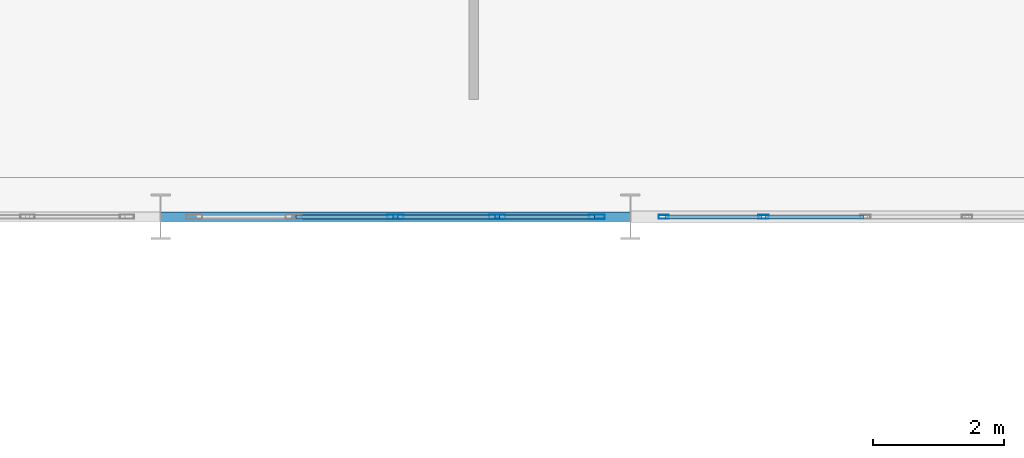
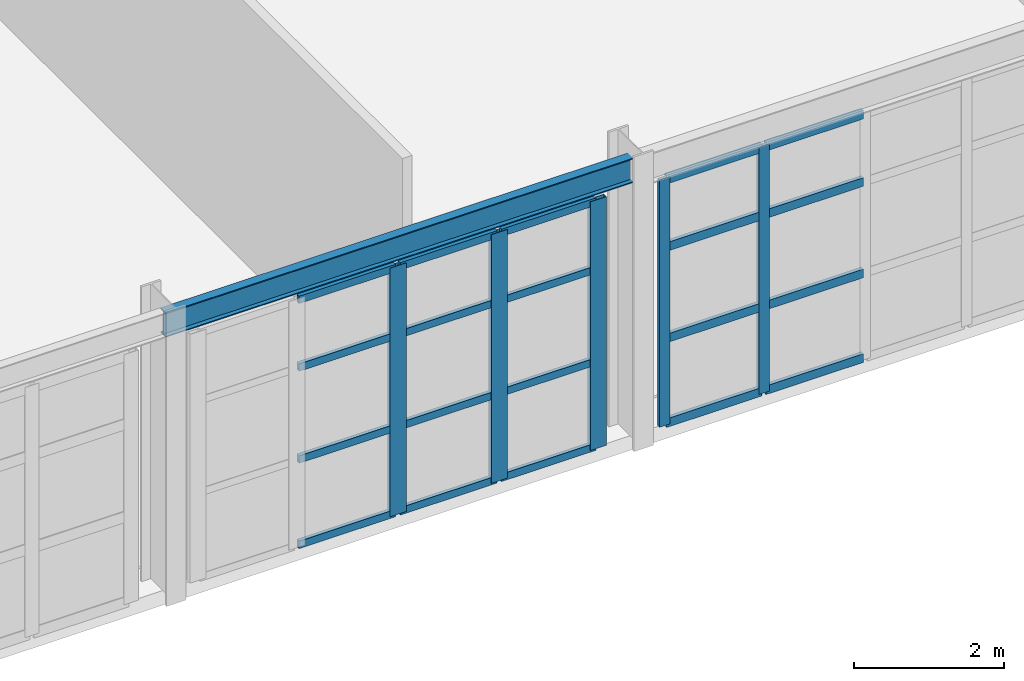
# One storey, part 35 of 126: 25 members, 1 beam, 2 elements without a shape of their own.
"""IFC4 building model written with IfcOpenShell, lengths in metres."""

from ifc_helpers import new_model, si_unit, direction, frame, origin, origin_2d, place, context, subcontext, project, spatial, hollow_rectangle, i_section, extrude, material, layer, layer_set, material_profile, profile_set, type_object, element, aggregate, save


model = new_model("IFC4")

# Units and contexts
model_context = context("Model", 3, precision=1e-05, world=origin(), true_north=direction((0.0, 1.0)))
body_context = subcontext(model_context, "Body", "Model", "MODEL_VIEW")
ifc_project = project(units=[si_unit("LENGTHUNIT", "METRE"), si_unit("AREAUNIT", "SQUARE_METRE"), si_unit("VOLUMEUNIT", "CUBIC_METRE"), si_unit("PLANEANGLEUNIT", "RADIAN"), si_unit("MASSUNIT", "GRAM", prefix="KILO")], contexts=[model_context])

# Site, building, storey
site_placement = place(None, origin())
site = spatial("IfcSite", under=ifc_project, at=site_placement, CompositionType="ELEMENT")
building_placement = place(site_placement, origin())
building = spatial("IfcBuilding", under=site, at=building_placement, Name="Solvadek Multi-Sports Hall", CompositionType="ELEMENT")
storey_placement = place(building_placement, frame((0.0, 0.0, 9.60009765625)))
storey = spatial("IfcBuildingStorey", under=building, at=storey_placement, Name="L02", CompositionType="ELEMENT", Elevation=9.60009765625)

# Curtain wall, members
ifc_material_1 = material(Name="Anodised aluminium", Category="aluminium")
ifc_layer_1 = layer(ifc_material_1, 0.159912109375, Name="Anodised aluminium")
ifc_layer_set_1 = layer_set([ifc_layer_1], Name="Anodised aluminium")
curtain_wall_type_1 = type_object("IfcCurtainWallType", Name="ENV-CW-624X403", PredefinedType="USERDEFINED", material=ifc_layer_set_1)
curtain_wall_1_placement = place(storey_placement, origin())
curtain_wall_1 = element("IfcCurtainWall", 1, at=curtain_wall_1_placement, inside=storey, type_object=curtain_wall_type_1, Name="L02 Perimeter Bay Curtain Wall #167", ObjectType="CURTAIN WALL", PredefinedType="USERDEFINED")
ifc_material_profile_1 = material_profile(ifc_material_1, hollow_rectangle(XDim=0.06005859375, YDim=0.159912109375, WallThickness=0.00390625, at=origin_2d()), Name="ALU-M 160x60x4")
ifc_profile_set_1 = profile_set([ifc_material_profile_1], Name="Anodised aluminium")
member_type_1 = type_object("IfcMemberType", Name="ENV-CWM-01", PredefinedType="MULLION", material=ifc_profile_set_1)
member_1_placement = place(storey_placement, frame((36.510009765625, 49.199951171875, 0.0), z_axis=(0.0, 0.0, 1.0), x_axis=(0.0, 1.0, 0.0)))
member_1 = element("IfcMember", 2, at=member_1_placement, type_object=member_type_1, Name="CW-43 mullion 1", PredefinedType="MULLION", context=body_context, shape_type="SweptSolid", body=[
    extrude(hollow_rectangle(XDim=0.06005859375, YDim=0.159912109375, WallThickness=0.00390625, at=origin_2d()), origin(), (0.0, 0.0, 1.0), 4.02490234375),
])
member_2_placement = place(storey_placement, frame((38.0400390625, 49.199951171875, 0.0), z_axis=(0.0, 0.0, 1.0), x_axis=(0.0, 1.0, 0.0)))
member_2 = element("IfcMember", 3, at=member_2_placement, type_object=member_type_1, Name="CW-43 mullion 2", PredefinedType="MULLION", context=body_context, shape_type="SweptSolid", body=[
    extrude(hollow_rectangle(XDim=0.06005859375, YDim=0.159912109375, WallThickness=0.00390625, at=origin_2d()), origin(), (0.0, 0.0, 1.0), 4.02490234375),
])

ifc_layer_2 = layer(ifc_material_1, 0.159912109375, Name="Anodised aluminium")
ifc_layer_set_2 = layer_set([ifc_layer_2], Name="Anodised aluminium")
curtain_wall_type_2 = type_object("IfcCurtainWallType", Name="ENV-CW-624X405", PredefinedType="USERDEFINED", material=ifc_layer_set_2)
curtain_wall_2_placement = place(storey_placement, origin())
curtain_wall_2 = element("IfcCurtainWall", 4, at=curtain_wall_2_placement, inside=storey, type_object=curtain_wall_type_2, Name="L02 Perimeter Bay Curtain Wall #163", ObjectType="CURTAIN WALL", PredefinedType="USERDEFINED")
ifc_material_profile_2 = material_profile(ifc_material_1, hollow_rectangle(XDim=0.070068359375, YDim=0.25, WallThickness=0.0048828125, at=origin_2d()), Name="ALU-M 250x70x5")
ifc_profile_set_2 = profile_set([ifc_material_profile_2], Name="Anodised aluminium")
member_type_2 = type_object("IfcMemberType", Name="ENV-CWM-05", PredefinedType="MULLION", material=ifc_profile_set_2)
member_3_placement = place(storey_placement, frame((32.39990234375, 49.199951171875, 0.0), z_axis=(0.0, 0.0, 1.0), x_axis=(0.0, 1.0, 0.0)))
member_3 = element("IfcMember", 5, at=member_3_placement, type_object=member_type_2, Name="CW-52 mullion 3", PredefinedType="MULLION", context=body_context, shape_type="SweptSolid", body=[
    extrude(hollow_rectangle(XDim=0.070068359375, YDim=0.25, WallThickness=0.0048828125, at=origin_2d()), origin(), (0.0, 0.0, 1.0), 4.0498046875),
])
member_4_placement = place(storey_placement, frame((33.9599609375, 49.199951171875, 0.0), z_axis=(0.0, 0.0, 1.0), x_axis=(0.0, 1.0, 0.0)))
member_4 = element("IfcMember", 6, at=member_4_placement, type_object=member_type_2, Name="CW-52 mullion 4", PredefinedType="MULLION", context=body_context, shape_type="SweptSolid", body=[
    extrude(hollow_rectangle(XDim=0.070068359375, YDim=0.25, WallThickness=0.0048828125, at=origin_2d()), origin(), (0.0, 0.0, 1.0), 4.0498046875),
])
member_5_placement = place(storey_placement, frame((35.485107421875, 49.199951171875, 0.0), z_axis=(0.0, 0.0, 1.0), x_axis=(0.0, 1.0, 0.0)))
member_5 = element("IfcMember", 7, at=member_5_placement, type_object=member_type_2, Name="CW-52 mullion 5", PredefinedType="MULLION", context=body_context, shape_type="SweptSolid", body=[
    extrude(hollow_rectangle(XDim=0.070068359375, YDim=0.25, WallThickness=0.0048828125, at=origin_2d()), origin(), (0.0, 0.0, 1.0), 4.0498046875),
])
ifc_material_profile_3 = material_profile(ifc_material_1, hollow_rectangle(XDim=0.06005859375, YDim=0.1201171875, WallThickness=0.00390625, at=origin_2d()), Name="ALU-T 120x60x4")
ifc_profile_set_3 = profile_set([ifc_material_profile_3], Name="Anodised aluminium")
member_type_3 = type_object("IfcMemberType", Name="ENV-CWT-01", PredefinedType="USERDEFINED", material=ifc_profile_set_3)
member_6_placement = place(storey_placement, frame((30.875, 49.199951171875, 0.02978515625), z_axis=(1.0, 0.0, 0.0), x_axis=(0.0, 1.0, 0.0)))
member_6 = element("IfcMember", 8, at=member_6_placement, type_object=member_type_3, Name="CW-52 transom 2.1", ObjectType="TRANSOM", PredefinedType="USERDEFINED", context=body_context, shape_type="SweptSolid", body=[
    extrude(hollow_rectangle(XDim=0.06005859375, YDim=0.1201171875, WallThickness=0.00390625, at=origin_2d()), origin(), (0.0, 0.0, 1.0), 1.489990234375),
])
member_7_placement = place(storey_placement, frame((30.875, 49.199951171875, 1.41796875), z_axis=(1.0, 0.0, 0.0), x_axis=(0.0, 1.0, 0.0)))
member_7 = element("IfcMember", 9, at=member_7_placement, type_object=member_type_3, Name="CW-52 transom 2.2", ObjectType="TRANSOM", PredefinedType="USERDEFINED", context=body_context, shape_type="SweptSolid", body=[
    extrude(hollow_rectangle(XDim=0.06005859375, YDim=0.1201171875, WallThickness=0.00390625, at=origin_2d()), origin(), (0.0, 0.0, 1.0), 1.489990234375),
])
member_8_placement = place(storey_placement, frame((30.875, 49.199951171875, 2.916015625), z_axis=(1.0, 0.0, 0.0), x_axis=(0.0, 1.0, 0.0)))
member_8 = element("IfcMember", 10, at=member_8_placement, type_object=member_type_3, Name="CW-52 transom 2.3", ObjectType="TRANSOM", PredefinedType="USERDEFINED", context=body_context, shape_type="SweptSolid", body=[
    extrude(hollow_rectangle(XDim=0.06005859375, YDim=0.1201171875, WallThickness=0.00390625, at=origin_2d()), origin(), (0.0, 0.0, 1.0), 1.489990234375),
])
member_9_placement = place(storey_placement, frame((30.875, 49.199951171875, 4.02001953125), z_axis=(1.0, 0.0, 0.0), x_axis=(0.0, 1.0, 0.0)))
member_9 = element("IfcMember", 11, at=member_9_placement, type_object=member_type_3, Name="CW-52 transom 2.4", ObjectType="TRANSOM", PredefinedType="USERDEFINED", context=body_context, shape_type="SweptSolid", body=[
    extrude(hollow_rectangle(XDim=0.06005859375, YDim=0.1201171875, WallThickness=0.00390625, at=origin_2d()), origin(), (0.0, 0.0, 1.0), 1.489990234375),
])
member_10_placement = place(storey_placement, frame((32.43505859375, 49.199951171875, 0.02978515625), z_axis=(1.0, 0.0, 0.0), x_axis=(0.0, 1.0, 0.0)))
member_10 = element("IfcMember", 12, at=member_10_placement, type_object=member_type_3, Name="CW-52 transom 3.1", ObjectType="TRANSOM", PredefinedType="USERDEFINED", context=body_context, shape_type="SweptSolid", body=[
    extrude(hollow_rectangle(XDim=0.06005859375, YDim=0.1201171875, WallThickness=0.00390625, at=origin_2d()), origin(), (0.0, 0.0, 1.0), 1.489990234375),
])
member_11_placement = place(storey_placement, frame((32.43505859375, 49.199951171875, 1.41796875), z_axis=(1.0, 0.0, 0.0), x_axis=(0.0, 1.0, 0.0)))
member_11 = element("IfcMember", 13, at=member_11_placement, type_object=member_type_3, Name="CW-52 transom 3.2", ObjectType="TRANSOM", PredefinedType="USERDEFINED", context=body_context, shape_type="SweptSolid", body=[
    extrude(hollow_rectangle(XDim=0.06005859375, YDim=0.1201171875, WallThickness=0.00390625, at=origin_2d()), origin(), (0.0, 0.0, 1.0), 1.489990234375),
])
member_12_placement = place(storey_placement, frame((32.43505859375, 49.199951171875, 2.916015625), z_axis=(1.0, 0.0, 0.0), x_axis=(0.0, 1.0, 0.0)))
member_12 = element("IfcMember", 14, at=member_12_placement, type_object=member_type_3, Name="CW-52 transom 3.3", ObjectType="TRANSOM", PredefinedType="USERDEFINED", context=body_context, shape_type="SweptSolid", body=[
    extrude(hollow_rectangle(XDim=0.06005859375, YDim=0.1201171875, WallThickness=0.00390625, at=origin_2d()), origin(), (0.0, 0.0, 1.0), 1.489990234375),
])
member_13_placement = place(storey_placement, frame((32.43505859375, 49.199951171875, 4.02001953125), z_axis=(1.0, 0.0, 0.0), x_axis=(0.0, 1.0, 0.0)))
member_13 = element("IfcMember", 15, at=member_13_placement, type_object=member_type_3, Name="CW-52 transom 3.4", ObjectType="TRANSOM", PredefinedType="USERDEFINED", context=body_context, shape_type="SweptSolid", body=[
    extrude(hollow_rectangle(XDim=0.06005859375, YDim=0.1201171875, WallThickness=0.00390625, at=origin_2d()), origin(), (0.0, 0.0, 1.0), 1.489990234375),
])
member_14_placement = place(storey_placement, frame((33.9951171875, 49.199951171875, 0.02978515625), z_axis=(1.0, 0.0, 0.0), x_axis=(0.0, 1.0, 0.0)))
member_14 = element("IfcMember", 16, at=member_14_placement, type_object=member_type_3, Name="CW-52 transom 4.1", ObjectType="TRANSOM", PredefinedType="USERDEFINED", context=body_context, shape_type="SweptSolid", body=[
    extrude(hollow_rectangle(XDim=0.06005859375, YDim=0.1201171875, WallThickness=0.00390625, at=origin_2d()), origin(), (0.0, 0.0, 1.0), 1.454833984375),
])
member_15_placement = place(storey_placement, frame((33.9951171875, 49.199951171875, 1.41796875), z_axis=(1.0, 0.0, 0.0), x_axis=(0.0, 1.0, 0.0)))
member_15 = element("IfcMember", 17, at=member_15_placement, type_object=member_type_3, Name="CW-52 transom 4.2", ObjectType="TRANSOM", PredefinedType="USERDEFINED", context=body_context, shape_type="SweptSolid", body=[
    extrude(hollow_rectangle(XDim=0.06005859375, YDim=0.1201171875, WallThickness=0.00390625, at=origin_2d()), origin(), (0.0, 0.0, 1.0), 1.454833984375),
])
member_16_placement = place(storey_placement, frame((33.9951171875, 49.199951171875, 2.916015625), z_axis=(1.0, 0.0, 0.0), x_axis=(0.0, 1.0, 0.0)))
member_16 = element("IfcMember", 18, at=member_16_placement, type_object=member_type_3, Name="CW-52 transom 4.3", ObjectType="TRANSOM", PredefinedType="USERDEFINED", context=body_context, shape_type="SweptSolid", body=[
    extrude(hollow_rectangle(XDim=0.06005859375, YDim=0.1201171875, WallThickness=0.00390625, at=origin_2d()), origin(), (0.0, 0.0, 1.0), 1.454833984375),
])
member_17_placement = place(storey_placement, frame((33.9951171875, 49.199951171875, 4.02001953125), z_axis=(1.0, 0.0, 0.0), x_axis=(0.0, 1.0, 0.0)))
member_17 = element("IfcMember", 19, at=member_17_placement, type_object=member_type_3, Name="CW-52 transom 4.4", ObjectType="TRANSOM", PredefinedType="USERDEFINED", context=body_context, shape_type="SweptSolid", body=[
    extrude(hollow_rectangle(XDim=0.06005859375, YDim=0.1201171875, WallThickness=0.00390625, at=origin_2d()), origin(), (0.0, 0.0, 1.0), 1.454833984375),
])
aggregate(curtain_wall_2, [member_3, member_4, member_5, member_6, member_7, member_8, member_9, member_10, member_11, member_12, member_13, member_14, member_15, member_16, member_17])

# Member
ifc_material_profile_4 = material_profile(ifc_material_1, hollow_rectangle(XDim=0.06005859375, YDim=0.139892578125, WallThickness=0.00390625, at=origin_2d()), Name="ALU-T 140x60x4")
ifc_profile_set_4 = profile_set([ifc_material_profile_4], Name="Anodised aluminium")
member_type_4 = type_object("IfcMemberType", Name="ENV-CWT-02", PredefinedType="USERDEFINED", material=ifc_profile_set_4)
member_18_placement = place(storey_placement, frame((36.5400390625, 49.199951171875, 0.02978515625), z_axis=(1.0, 0.0, 0.0), x_axis=(0.0, 1.0, 0.0)))
member_18 = element("IfcMember", 20, at=member_18_placement, type_object=member_type_4, Name="CW-43 transom 1.1", ObjectType="TRANSOM", PredefinedType="USERDEFINED", context=body_context, shape_type="SweptSolid", body=[
    extrude(hollow_rectangle(XDim=0.06005859375, YDim=0.139892578125, WallThickness=0.00390625, at=origin_2d()), origin(), (0.0, 0.0, 1.0), 1.469970703125),
])

member_19_placement = place(storey_placement, frame((36.5400390625, 49.199951171875, 1.408935546875), z_axis=(1.0, 0.0, 0.0), x_axis=(0.0, 1.0, 0.0)))
member_19 = element("IfcMember", 21, at=member_19_placement, type_object=member_type_4, Name="CW-43 transom 1.2", ObjectType="TRANSOM", PredefinedType="USERDEFINED", context=body_context, shape_type="SweptSolid", body=[
    extrude(hollow_rectangle(XDim=0.06005859375, YDim=0.139892578125, WallThickness=0.00390625, at=origin_2d()), origin(), (0.0, 0.0, 1.0), 1.469970703125),
])

member_20_placement = place(storey_placement, frame((36.5400390625, 49.199951171875, 2.89794921875), z_axis=(1.0, 0.0, 0.0), x_axis=(0.0, 1.0, 0.0)))
member_20 = element("IfcMember", 22, at=member_20_placement, type_object=member_type_4, Name="CW-43 transom 1.3", ObjectType="TRANSOM", PredefinedType="USERDEFINED", context=body_context, shape_type="SweptSolid", body=[
    extrude(hollow_rectangle(XDim=0.06005859375, YDim=0.139892578125, WallThickness=0.00390625, at=origin_2d()), origin(), (0.0, 0.0, 1.0), 1.469970703125),
])

member_21_placement = place(storey_placement, frame((36.5400390625, 49.199951171875, 3.994873046875), z_axis=(1.0, 0.0, 0.0), x_axis=(0.0, 1.0, 0.0)))
member_21 = element("IfcMember", 23, at=member_21_placement, type_object=member_type_4, Name="CW-43 transom 1.4", ObjectType="TRANSOM", PredefinedType="USERDEFINED", context=body_context, shape_type="SweptSolid", body=[
    extrude(hollow_rectangle(XDim=0.06005859375, YDim=0.139892578125, WallThickness=0.00390625, at=origin_2d()), origin(), (0.0, 0.0, 1.0), 1.469970703125),
])

member_22_placement = place(storey_placement, frame((38.070068359375, 49.199951171875, 0.02978515625), z_axis=(1.0, 0.0, 0.0), x_axis=(0.0, 1.0, 0.0)))
member_22 = element("IfcMember", 24, at=member_22_placement, type_object=member_type_4, Name="CW-43 transom 2.1", ObjectType="TRANSOM", PredefinedType="USERDEFINED", context=body_context, shape_type="SweptSolid", body=[
    extrude(hollow_rectangle(XDim=0.06005859375, YDim=0.139892578125, WallThickness=0.00390625, at=origin_2d()), origin(), (0.0, 0.0, 1.0), 1.5),
])

member_23_placement = place(storey_placement, frame((38.070068359375, 49.199951171875, 1.408935546875), z_axis=(1.0, 0.0, 0.0), x_axis=(0.0, 1.0, 0.0)))
member_23 = element("IfcMember", 25, at=member_23_placement, type_object=member_type_4, Name="CW-43 transom 2.2", ObjectType="TRANSOM", PredefinedType="USERDEFINED", context=body_context, shape_type="SweptSolid", body=[
    extrude(hollow_rectangle(XDim=0.06005859375, YDim=0.139892578125, WallThickness=0.00390625, at=origin_2d()), origin(), (0.0, 0.0, 1.0), 1.5),
])

member_24_placement = place(storey_placement, frame((38.070068359375, 49.199951171875, 2.89794921875), z_axis=(1.0, 0.0, 0.0), x_axis=(0.0, 1.0, 0.0)))
member_24 = element("IfcMember", 26, at=member_24_placement, type_object=member_type_4, Name="CW-43 transom 2.3", ObjectType="TRANSOM", PredefinedType="USERDEFINED", context=body_context, shape_type="SweptSolid", body=[
    extrude(hollow_rectangle(XDim=0.06005859375, YDim=0.139892578125, WallThickness=0.00390625, at=origin_2d()), origin(), (0.0, 0.0, 1.0), 1.5),
])

member_25_placement = place(storey_placement, frame((38.070068359375, 49.199951171875, 3.994873046875), z_axis=(1.0, 0.0, 0.0), x_axis=(0.0, 1.0, 0.0)))
member_25 = element("IfcMember", 27, at=member_25_placement, type_object=member_type_4, Name="CW-43 transom 2.4", ObjectType="TRANSOM", PredefinedType="USERDEFINED", context=body_context, shape_type="SweptSolid", body=[
    extrude(hollow_rectangle(XDim=0.06005859375, YDim=0.139892578125, WallThickness=0.00390625, at=origin_2d()), origin(), (0.0, 0.0, 1.0), 1.5),
])

aggregate(curtain_wall_1, [member_1, member_2, member_18, member_19, member_20, member_21, member_22, member_23, member_24, member_25])

# Beam
ifc_material_2 = material(Name="Steel E350 (350 MPa)", Category="steel")
ifc_material_profile_5 = material_profile(ifc_material_2, i_section(OverallWidth=0.139892578125, OverallDepth=0.39990234375, WebThickness=0.0087890625, FlangeThickness=0.01611328125, at=origin_2d()), Name="ISMB 400")
ifc_profile_set_5 = profile_set([ifc_material_profile_5], Name="Steel E350 (350 MPa)")
beam_type = type_object("IfcBeamType", Name="STR-BM-ISMB400", PredefinedType="BEAM", material=ifc_profile_set_5)
beam_placement = place(storey_placement, frame((28.800048828125, 49.199951171875, 4.35986328125), z_axis=(1.0, 0.0, 0.0), x_axis=(0.0, 1.0, 0.0)))
element("IfcBeam", 28, at=beam_placement, inside=storey, type_object=beam_type, Name="L02 Girder B-10 #1369", PredefinedType="BEAM", context=body_context, shape_type="SweptSolid", body=[
    extrude(i_section(OverallWidth=0.139892578125, OverallDepth=0.39990234375, WebThickness=0.0087890625, FlangeThickness=0.01611328125, at=origin_2d()), origin(), (0.0, 0.0, 1.0), 7.199951171875),
])

save(model, "model.ifc")
